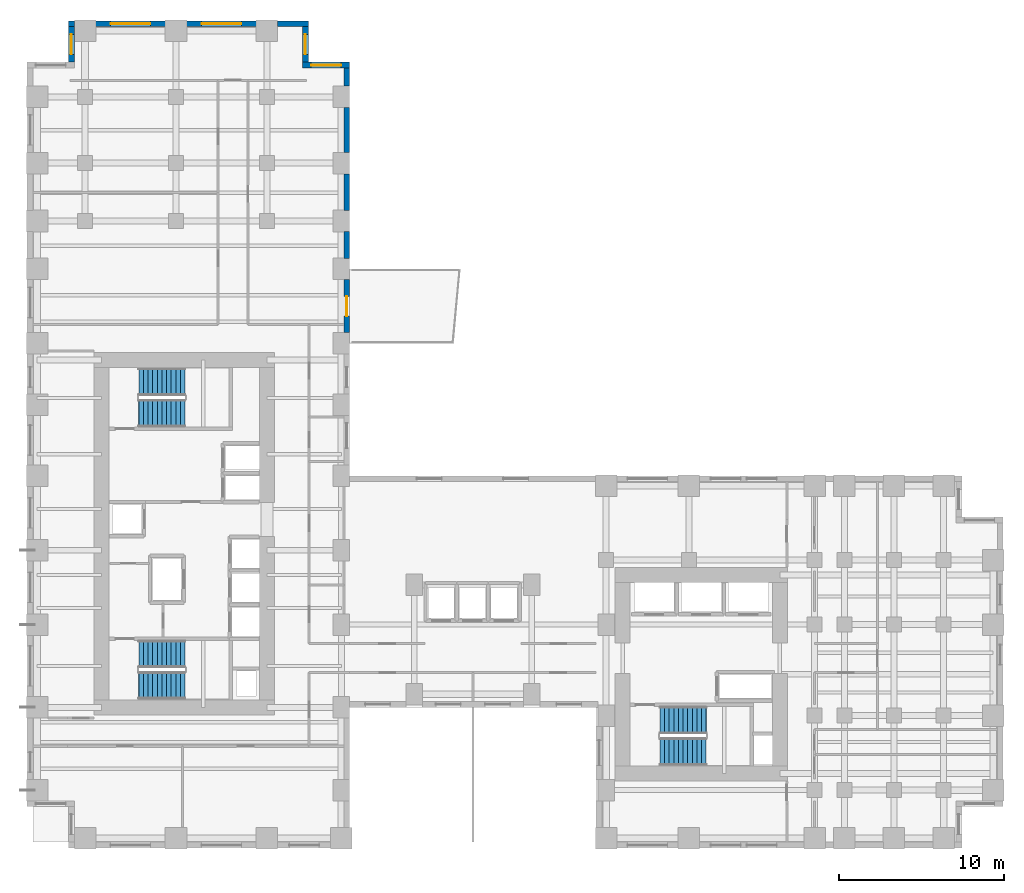
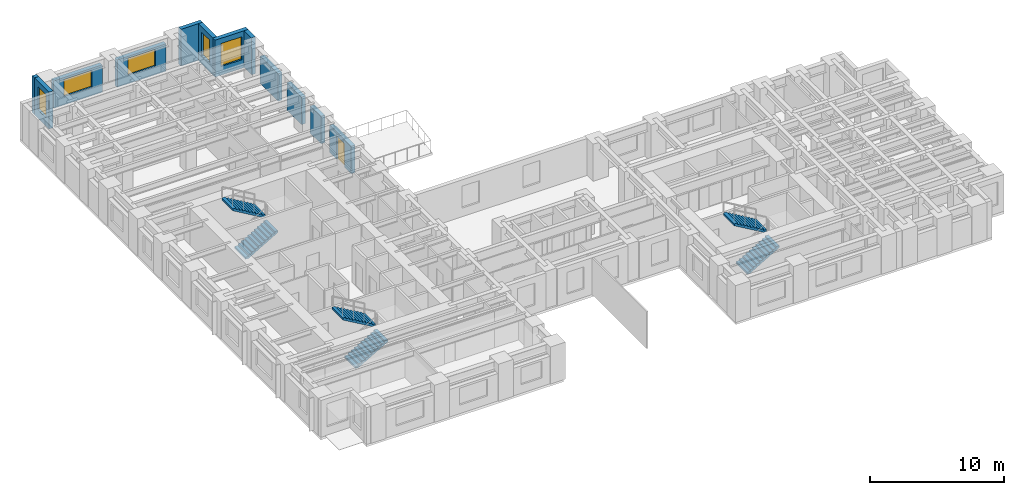
# One storey, part 9 of 11: 12 walls, 6 stair flights, 5 windows, 1 door, 6 openings, 3 elements without a shape of their own.
"""IFC4 building model written with IfcOpenShell, lengths in metres."""

from ifc_helpers import new_model, si_unit, direction, frame, frame_2d, origin, place, context, subcontext, project, spatial, polyline, rectangle, outline, extrude, source, transform, mapped, material, layer, layer_set, type_object, element, fill, aggregate, save


model = new_model("IFC4")

# Units and contexts
model_context = context("Model", 3, precision=1e-05, world=origin(), true_north=direction((0.0, 1.0)))
body_context = subcontext(model_context, "Body", "Model", "MODEL_VIEW")
ifc_project = project(units=[si_unit("LENGTHUNIT", "METRE"), si_unit("AREAUNIT", "SQUARE_METRE"), si_unit("VOLUMEUNIT", "CUBIC_METRE"), si_unit("PLANEANGLEUNIT", "RADIAN"), si_unit("MASSUNIT", "GRAM", prefix="KILO")], contexts=[model_context])

# Site, building, storey
site_placement = place(None, origin())
site = spatial("IfcSite", under=ifc_project, at=site_placement, CompositionType="ELEMENT")
building_placement = place(site_placement, origin())
building = spatial("IfcBuilding", under=site, at=building_placement, Name="Kharzan Plaza Tower", CompositionType="ELEMENT")
storey_placement = place(building_placement, frame((0.0, 0.0, 40.5)))
storey = spatial("IfcBuildingStorey", under=building, at=storey_placement, Name="L10", CompositionType="ELEMENT", Elevation=40.5)

# Wall, opening, window
ifc_material_1 = material(Name="Concrete C40/50", Category="concrete")
ifc_layer = layer(ifc_material_1, 0.35009765625)
ifc_layer_set = layer_set([ifc_layer], Name="Concrete C40/50")
wall_type = type_object("IfcWallType", Name="WL-EXT-MAS-Z1", PredefinedType="SOLIDWALL", material=ifc_layer_set)
wall_1_placement = place(storey_placement, frame((19.5, 47.324951171875, 0.0), z_axis=(0.0, 0.0, 1.0), x_axis=(-1.0, 0.0, 0.0)))
wall_1 = element("IfcWall", 1, at=wall_1_placement, inside=storey, type_object=wall_type, Name="L10 Masonry-Frame Exterior Wall 01", PredefinedType="SOLIDWALL", context=body_context, shape_type="SweptSolid", body=[
    extrude(rectangle(XDim=2.85009765625, YDim=0.35009765625, at=frame_2d((1.425048828125, 0.0))), origin(), (0.0, 0.0, 1.0), 3.364990234375),
])
opening_1_placement = place(wall_1_placement, frame((0.52490234375, 0.0, 0.780029296875)))
opening_1 = element("IfcOpeningElement", 2, at=opening_1_placement, cuts=wall_1, Name="Opening W1", PredefinedType="OPENING", context=body_context, shape_type="SweptSolid", body=[
    extrude(rectangle(XDim=1.800048828125, YDim=2.10009765625, at=frame_2d((0.89990234375, 1.050048828125))), frame((0.0, 0.18505859375, 0.0), z_axis=(0.0, -1.0, 0.0), x_axis=(1.0, 0.0, 0.0)), (0.0, 0.0, 1.0), 0.3701171875),
])
ifc_material_2 = material(Name="Low-E Double Glazing", Category="glass")
window_type_1 = type_object("IfcWindowType", Name="WN-REC-1800x2100", PartitioningType="SINGLE_PANEL", PredefinedType="WINDOW", material=ifc_material_2)
shared_shape_1 = source(origin(), body_context, "Body", "SweptSolid", [
    extrude(rectangle(XDim=1.800048828125, YDim=2.10009765625, at=frame_2d((0.89990234375, 1.050048828125))), frame((0.0, 0.030029296875, 0.0), z_axis=(0.0, -1.0, 0.0), x_axis=(1.0, 0.0, 0.0)), (0.0, 0.0, 1.0), 0.06005859375),
])
window_1_placement = place(opening_1_placement, origin())
window_1 = element("IfcWindow", 3, at=window_1_placement, inside=storey, type_object=window_type_1, Name="L10 Recessed Solar-Control Window 01-1", OverallHeight=2.10009765625, OverallWidth=1.800048828125, PartitioningType="SINGLE_PANEL", PredefinedType="WINDOW", context=body_context, shape_type="MappedRepresentation", body=[
    mapped(shared_shape_1, transform((0.0, 0.0, 0.0), x_axis=(1.0, 0.0, 0.0), y_axis=(0.0, 1.0, 0.0), z_axis=(0.0, 0.0, 1.0))),
])
fill(opening_1, window_1)

wall_2_placement = place(storey_placement, frame((16.824951171875, 47.498046875, 0.0), z_axis=(0.0, 0.0, 1.0), x_axis=(0.0, 1.0, 0.0)))
wall_2 = element("IfcWall", 4, at=wall_2_placement, inside=storey, type_object=wall_type, Name="L10 Masonry-Frame Exterior Wall 02", PredefinedType="SOLIDWALL", context=body_context, shape_type="SweptSolid", body=[
    extrude(rectangle(XDim=2.154052734375, YDim=0.35009765625, at=frame_2d((1.0771484375, 0.0))), origin(), (0.0, 0.0, 1.0), 3.364990234375),
])
opening_2_placement = place(wall_2_placement, frame((0.47705078125, 0.0, 0.780029296875)))
opening_2 = element("IfcOpeningElement", 5, at=opening_2_placement, cuts=wall_2, Name="Opening W3", PredefinedType="OPENING", context=body_context, shape_type="SweptSolid", body=[
    extrude(rectangle(XDim=1.199951171875, YDim=2.10009765625, at=frame_2d((0.60009765625, 1.050048828125))), frame((0.0, 0.18505859375, 0.0), z_axis=(0.0, -1.0, 0.0), x_axis=(1.0, 0.0, 0.0)), (0.0, 0.0, 1.0), 0.3701171875),
])
window_type_2 = type_object("IfcWindowType", Name="WN-REC-1200x2100", PartitioningType="SINGLE_PANEL", PredefinedType="WINDOW", material=ifc_material_2)
shared_shape_2 = source(origin(), body_context, "Body", "SweptSolid", [
    extrude(rectangle(XDim=1.199951171875, YDim=2.10009765625, at=frame_2d((0.60009765625, 1.050048828125))), frame((0.0, 0.030029296875, 0.0), z_axis=(0.0, -1.0, 0.0), x_axis=(1.0, 0.0, 0.0)), (0.0, 0.0, 1.0), 0.06005859375),
])
window_2_placement = place(opening_2_placement, origin())
window_2 = element("IfcWindow", 6, at=window_2_placement, inside=storey, type_object=window_type_2, Name="L10 Recessed Solar-Control Window 02-1", OverallHeight=2.10009765625, OverallWidth=1.199951171875, PartitioningType="SINGLE_PANEL", PredefinedType="WINDOW", context=body_context, shape_type="MappedRepresentation", body=[
    mapped(shared_shape_2, transform((0.0, 0.0, 0.0), x_axis=(1.0, 0.0, 0.0), y_axis=(0.0, 1.0, 0.0), z_axis=(0.0, 0.0, 1.0))),
])
fill(opening_2, window_2)

wall_3_placement = place(storey_placement, frame((13.85205078125, 49.824951171875, 0.0), z_axis=(0.0, 0.0, 1.0), x_axis=(-1.0, 0.0, 0.0)))
wall_3 = element("IfcWall", 7, at=wall_3_placement, inside=storey, type_object=wall_type, Name="L10 Masonry-Frame Exterior Wall 04", PredefinedType="SOLIDWALL", context=body_context, shape_type="SweptSolid", body=[
    extrude(rectangle(XDim=4.2041015625, YDim=0.35009765625, at=frame_2d((2.10205078125, 0.0))), origin(), (0.0, 0.0, 1.0), 2.510009765625),
])
opening_3_placement = place(wall_3_placement, frame((0.902099609375, 0.0, 0.780029296875)))
opening_3 = element("IfcOpeningElement", 8, at=opening_3_placement, cuts=wall_3, Name="Opening W2", PredefinedType="OPENING", context=body_context, shape_type="SweptSolid", body=[
    extrude(rectangle(XDim=2.39990234375, YDim=1.550048828125, at=frame_2d((1.199951171875, 0.77490234375))), frame((0.0, 0.18505859375, 0.0), z_axis=(0.0, -1.0, 0.0), x_axis=(1.0, 0.0, 0.0)), (0.0, 0.0, 1.0), 0.3701171875),
])
window_type_3 = type_object("IfcWindowType", Name="WN-REC-2400x2100", PartitioningType="SINGLE_PANEL", PredefinedType="WINDOW", material=ifc_material_2)
shared_shape_3 = source(origin(), body_context, "Body", "SweptSolid", [
    extrude(rectangle(XDim=2.39990234375, YDim=1.550048828125, at=frame_2d((1.199951171875, 0.77490234375))), frame((0.0, 0.030029296875, 0.0), z_axis=(0.0, -1.0, 0.0), x_axis=(1.0, 0.0, 0.0)), (0.0, 0.0, 1.0), 0.06005859375),
])
window_3_placement = place(opening_3_placement, origin())
window_3 = element("IfcWindow", 9, at=window_3_placement, inside=storey, type_object=window_type_3, Name="L10 Wide Recessed Solar-Control Window 04-1", OverallHeight=1.550048828125, OverallWidth=2.39990234375, PartitioningType="SINGLE_PANEL", PredefinedType="WINDOW", context=body_context, shape_type="MappedRepresentation", body=[
    mapped(shared_shape_3, transform((0.0, 0.0, 0.0), x_axis=(1.0, 0.0, 0.0), y_axis=(0.0, 1.0, 0.0), z_axis=(0.0, 0.0, 1.0))),
])
fill(opening_3, window_3)

wall_4_placement = place(storey_placement, frame((8.35205078125, 49.824951171875, 0.0), z_axis=(0.0, 0.0, 1.0), x_axis=(-1.0, 0.0, 0.0)))
wall_4 = element("IfcWall", 10, at=wall_4_placement, inside=storey, type_object=wall_type, Name="L10 Masonry-Frame Exterior Wall 05", PredefinedType="SOLIDWALL", context=body_context, shape_type="SweptSolid", body=[
    extrude(rectangle(XDim=4.2041015625, YDim=0.35009765625, at=frame_2d((2.10205078125, 0.0))), origin(), (0.0, 0.0, 1.0), 2.510009765625),
])
opening_4_placement = place(wall_4_placement, frame((0.902099609375, 0.0, 0.780029296875)))
opening_4 = element("IfcOpeningElement", 11, at=opening_4_placement, cuts=wall_4, Name="Opening W2", PredefinedType="OPENING", context=body_context, shape_type="SweptSolid", body=[
    extrude(rectangle(XDim=2.39990234375, YDim=1.550048828125, at=frame_2d((1.199951171875, 0.77490234375))), frame((0.0, 0.18505859375, 0.0), z_axis=(0.0, -1.0, 0.0), x_axis=(1.0, 0.0, 0.0)), (0.0, 0.0, 1.0), 0.3701171875),
])
window_4_placement = place(opening_4_placement, origin())
window_4 = element("IfcWindow", 12, at=window_4_placement, inside=storey, type_object=window_type_3, Name="L10 Wide Recessed Solar-Control Window 05-1", OverallHeight=1.550048828125, OverallWidth=2.39990234375, PartitioningType="SINGLE_PANEL", PredefinedType="WINDOW", context=body_context, shape_type="MappedRepresentation", body=[
    mapped(shared_shape_3, transform((0.0, 0.0, 0.0), x_axis=(1.0, 0.0, 0.0), y_axis=(0.0, 1.0, 0.0), z_axis=(0.0, 0.0, 1.0))),
])
fill(opening_4, window_4)

wall_5_placement = place(storey_placement, frame((2.675048828125, 49.652099609375, 0.0), z_axis=(0.0, 0.0, 1.0), x_axis=(0.0, -1.0, 0.0)))
wall_5 = element("IfcWall", 13, at=wall_5_placement, inside=storey, type_object=wall_type, Name="L10 Masonry-Frame Exterior Wall 07", PredefinedType="SOLIDWALL", context=body_context, shape_type="SweptSolid", body=[
    extrude(rectangle(XDim=2.154052734375, YDim=0.35009765625, at=frame_2d((1.0771484375, 0.0))), origin(), (0.0, 0.0, 1.0), 3.364990234375),
])
opening_5_placement = place(wall_5_placement, frame((0.47705078125, 0.0, 0.780029296875)))
opening_5 = element("IfcOpeningElement", 14, at=opening_5_placement, cuts=wall_5, Name="Opening W3", PredefinedType="OPENING", context=body_context, shape_type="SweptSolid", body=[
    extrude(rectangle(XDim=1.199951171875, YDim=2.10009765625, at=frame_2d((0.60009765625, 1.050048828125))), frame((0.0, 0.18505859375, 0.0), z_axis=(0.0, -1.0, 0.0), x_axis=(1.0, 0.0, 0.0)), (0.0, 0.0, 1.0), 0.3701171875),
])
window_5_placement = place(opening_5_placement, origin())
window_5 = element("IfcWindow", 15, at=window_5_placement, inside=storey, type_object=window_type_2, Name="L10 Recessed Solar-Control Window 07-1", OverallHeight=2.10009765625, OverallWidth=1.199951171875, PartitioningType="SINGLE_PANEL", PredefinedType="WINDOW", context=body_context, shape_type="MappedRepresentation", body=[
    mapped(shared_shape_2, transform((0.0, 0.0, 0.0), x_axis=(1.0, 0.0, 0.0), y_axis=(0.0, 1.0, 0.0), z_axis=(0.0, 0.0, 1.0))),
])
fill(opening_5, window_5)

# Wall, opening, door
wall_6_placement = place(storey_placement, frame((19.324951171875, 31.14794921875, 0.0), z_axis=(0.0, 0.0, 1.0), x_axis=(0.0, 1.0, 0.0)))
wall_6 = element("IfcWall", 16, at=wall_6_placement, inside=storey, type_object=wall_type, Name="L10 Masonry-Frame Exterior Wall 56", PredefinedType="SOLIDWALL", context=body_context, shape_type="SweptSolid", body=[
    extrude(rectangle(XDim=3.2041015625, YDim=0.35009765625, at=frame_2d((1.60205078125, 0.0))), origin(), (0.0, 0.0, 1.0), 2.510009765625),
])
opening_6_placement = place(wall_6_placement, frame((1.001953125, 0.0, 0.0)))
opening_6 = element("IfcOpeningElement", 17, at=opening_6_placement, cuts=wall_6, Name="Opening ED3", PredefinedType="OPENING", context=body_context, shape_type="SweptSolid", body=[
    extrude(rectangle(XDim=1.199951171875, YDim=2.14990234375, at=frame_2d((0.60009765625, 1.074951171875))), frame((0.0, 0.18505859375, 0.0), z_axis=(0.0, -1.0, 0.0), x_axis=(1.0, 0.0, 0.0)), (0.0, 0.0, 1.0), 0.3701171875),
])
ifc_material_3 = material(Name="Thermally Broken Anodized Bronze Aluminium", Category="aluminium")
door_type = type_object("IfcDoorType", Name="DR-EXT-TRAY-1200", OperationType="SINGLE_SWING_LEFT", PredefinedType="DOOR", material=ifc_material_3)
shared_shape_4 = source(origin(), body_context, "Body", "SweptSolid", [
    extrude(rectangle(XDim=1.199951171875, YDim=2.14990234375, at=frame_2d((0.60009765625, 1.074951171875))), frame((0.0, 0.02490234375, 0.0), z_axis=(0.0, -1.0, 0.0), x_axis=(1.0, 0.0, 0.0)), (0.0, 0.0, 1.0), 0.050048828125),
])
door_placement = place(opening_6_placement, frame((1.199951171875, 0.0, 0.0), z_axis=(0.0, 0.0, 1.0), x_axis=(-1.0, 0.0, 0.0)))
door = element("IfcDoor", 18, at=door_placement, inside=storey, type_object=door_type, Name="L10 Cantilevered Sky-Terrace Tray Access Door", OperationType="SINGLE_SWING_LEFT", OverallHeight=2.14990234375, OverallWidth=1.199951171875, PredefinedType="DOOR", context=body_context, shape_type="MappedRepresentation", body=[
    mapped(shared_shape_4, transform((0.0, 0.0, 0.0), x_axis=(1.0, 0.0, 0.0), y_axis=(0.0, 1.0, 0.0), z_axis=(0.0, 0.0, 1.0))),
])
fill(opening_6, door)

# Walls
shared_shape_5 = source(origin(), body_context, "Body", "SweptSolid", [
    extrude(rectangle(XDim=1.85205078125, YDim=0.35009765625, at=frame_2d((0.926025390625, 0.0))), origin(), (0.0, 0.0, 1.0), 3.364990234375),
])
wall_7_placement = place(storey_placement, frame((17.0, 49.824951171875, 0.0), z_axis=(0.0, 0.0, 1.0), x_axis=(-1.0, 0.0, 0.0)))
element("IfcWall", 19, at=wall_7_placement, inside=storey, type_object=wall_type, Name="L10 Masonry-Frame Exterior Wall 03", PredefinedType="SOLIDWALL", context=body_context, shape_type="MappedRepresentation", body=[
    mapped(shared_shape_5, transform((0.0, 0.0, 0.0), x_axis=(1.0, 0.0, 0.0), y_axis=(0.0, 1.0, 0.0), z_axis=(0.0, 0.0, 1.0))),
])
shared_shape_6 = source(origin(), body_context, "Body", "SweptSolid", [
    extrude(rectangle(XDim=0.35205078125, YDim=0.35009765625, at=frame_2d((0.176025390625, 0.0))), origin(), (0.0, 0.0, 1.0), 3.364990234375),
])
wall_8_placement = place(storey_placement, frame((2.85205078125, 49.824951171875, 0.0), z_axis=(0.0, 0.0, 1.0), x_axis=(-1.0, 0.0, 0.0)))
element("IfcWall", 20, at=wall_8_placement, inside=storey, type_object=wall_type, Name="L10 Masonry-Frame Exterior Wall 06", PredefinedType="SOLIDWALL", context=body_context, shape_type="MappedRepresentation", body=[
    mapped(shared_shape_6, transform((0.0, 0.0, 0.0), x_axis=(1.0, 0.0, 0.0), y_axis=(0.0, 1.0, 0.0), z_axis=(0.0, 0.0, 1.0))),
])
shared_shape_7 = source(origin(), body_context, "Body", "SweptSolid", [
    extrude(rectangle(XDim=1.10400390625, YDim=0.35009765625, at=frame_2d((0.552001953125, 0.0))), origin(), (0.0, 0.0, 1.0), 3.364990234375),
])
wall_9_placement = place(storey_placement, frame((19.324951171875, 46.048095703125, 0.0), z_axis=(0.0, 0.0, 1.0), x_axis=(0.0, 1.0, 0.0)))
element("IfcWall", 21, at=wall_9_placement, inside=storey, type_object=wall_type, Name="L10 Masonry-Frame Exterior Wall 60", PredefinedType="SOLIDWALL", context=body_context, shape_type="MappedRepresentation", body=[
    mapped(shared_shape_7, transform((0.0, 0.0, 0.0), x_axis=(1.0, 0.0, 0.0), y_axis=(0.0, 1.0, 0.0), z_axis=(0.0, 0.0, 1.0))),
])
shared_shape_8 = source(origin(), body_context, "Body", "SweptSolid", [
    extrude(rectangle(XDim=1.60400390625, YDim=0.35009765625, at=frame_2d((0.802001953125, 0.0))), origin(), (0.0, 0.0, 1.0), 2.510009765625),
])
wall_10_placement = place(storey_placement, frame((19.324951171875, 35.64794921875, 0.0), z_axis=(0.0, 0.0, 1.0), x_axis=(0.0, 1.0, 0.0)))
element("IfcWall", 22, at=wall_10_placement, inside=storey, type_object=wall_type, Name="L10 Masonry-Frame Exterior Wall 57", PredefinedType="SOLIDWALL", context=body_context, shape_type="MappedRepresentation", body=[
    mapped(shared_shape_8, transform((0.0, 0.0, 0.0), x_axis=(1.0, 0.0, 0.0), y_axis=(0.0, 1.0, 0.0), z_axis=(0.0, 0.0, 1.0))),
])
shared_shape_9 = source(origin(), body_context, "Body", "SweptSolid", [
    extrude(rectangle(XDim=2.203857421875, YDim=0.35009765625, at=frame_2d((1.10205078125, 0.0))), origin(), (0.0, 0.0, 1.0), 2.510009765625),
])
wall_11_placement = place(storey_placement, frame((19.324951171875, 38.548095703125, 0.0), z_axis=(0.0, 0.0, 1.0), x_axis=(0.0, 1.0, 0.0)))
element("IfcWall", 23, at=wall_11_placement, inside=storey, type_object=wall_type, Name="L10 Masonry-Frame Exterior Wall 58", PredefinedType="SOLIDWALL", context=body_context, shape_type="MappedRepresentation", body=[
    mapped(shared_shape_9, transform((0.0, 0.0, 0.0), x_axis=(1.0, 0.0, 0.0), y_axis=(0.0, 1.0, 0.0), z_axis=(0.0, 0.0, 1.0))),
])
shared_shape_10 = source(origin(), body_context, "Body", "SweptSolid", [
    extrude(rectangle(XDim=2.703857421875, YDim=0.35009765625, at=frame_2d((1.35205078125, 0.0))), origin(), (0.0, 0.0, 1.0), 2.510009765625),
])
wall_12_placement = place(storey_placement, frame((19.324951171875, 42.048095703125, 0.0), z_axis=(0.0, 0.0, 1.0), x_axis=(0.0, 1.0, 0.0)))
element("IfcWall", 24, at=wall_12_placement, inside=storey, type_object=wall_type, Name="L10 Masonry-Frame Exterior Wall 59", PredefinedType="SOLIDWALL", context=body_context, shape_type="MappedRepresentation", body=[
    mapped(shared_shape_10, transform((0.0, 0.0, 0.0), x_axis=(1.0, 0.0, 0.0), y_axis=(0.0, 1.0, 0.0), z_axis=(0.0, 0.0, 1.0))),
])

# Stair, stair flights
stair_type_1 = type_object("IfcStairType", Name="STR-ST-1", PredefinedType="HALF_TURN_STAIR", material=ifc_material_1)
stair_1_placement = place(storey_placement, origin())
stair_1 = element("IfcStair", 25, at=stair_1_placement, inside=storey, type_object=stair_type_1, Name="L10 Protected Exit Stair ST-1", PredefinedType="HALF_TURN_STAIR")
stair_flight_type = type_object("IfcStairFlightType", Name="SFL-1650-R173", PredefinedType="STRAIGHT", material=ifc_material_1)
shared_shape_11 = source(origin(), body_context, "Body", "SweptSolid", [
    extrude(outline(polyline([(-0.0029296875, -0.011962890625), (-0.0029296875, 0.0), (0.0, 0.0), (0.0, 0.16357421875), (0.280029296875, 0.16357421875), (0.280029296875, 0.3271484375), (0.56005859375, 0.3271484375), (0.56005859375, 0.49072265625), (0.840087890625, 0.49072265625), (0.840087890625, 0.654296875), (1.1201171875, 0.654296875), (1.1201171875, 0.81787109375), (1.400146484375, 0.81787109375), (1.400146484375, 0.9814453125), (1.68017578125, 0.9814453125), (1.68017578125, 1.14501953125), (1.960205078125, 1.14501953125), (1.960205078125, 1.30859375), (2.240234375, 1.30859375), (2.240234375, 1.47216796875), (2.520263671875, 1.47216796875), (2.520263671875, 1.6357421875), (2.80029296875, 1.6357421875), (2.80029296875, 1.79931640625), (2.80029296875, 1.462158203125), (0.297119140625, 0.0), (0.297119140625, -0.011962890625), (-0.0029296875, -0.011962890625)])), frame((0.0, 0.824951171875, 0.0), z_axis=(0.0, -1.0, 0.0), x_axis=(1.0, 0.0, 0.0)), (0.0, 0.0, 1.0), 1.64990234375),
])
stair_flight_1_placement = place(storey_placement, frame((6.75, 9.824951171875, 0.0), z_axis=(0.0, 0.0, 1.0), x_axis=(1.0, 0.0, 0.0)))
stair_flight_1 = element("IfcStairFlight", 26, at=stair_flight_1_placement, type_object=stair_flight_type, Name="ST-1 flight 1", NumberOfRisers=11, NumberOfTreads=10, PredefinedType="STRAIGHT", RiserHeight=0.163636364, TreadLength=0.28, context=body_context, shape_type="MappedRepresentation", body=[
    mapped(shared_shape_11, transform((0.0, 0.0, 0.0), x_axis=(1.0, 0.0, 0.0), y_axis=(0.0, 1.0, 0.0), z_axis=(0.0, 0.0, 1.0))),
])
stair_flight_2_placement = place(storey_placement, frame((9.550048828125, 11.72509765625, 1.800048828125), z_axis=(0.0, 0.0, 1.0), x_axis=(-1.0, 0.0, 0.0)))
stair_flight_2 = element("IfcStairFlight", 27, at=stair_flight_2_placement, type_object=stair_flight_type, Name="ST-1 flight 2", NumberOfRisers=11, NumberOfTreads=10, PredefinedType="STRAIGHT", RiserHeight=0.163636364, TreadLength=0.28, context=body_context, shape_type="MappedRepresentation", body=[
    mapped(shared_shape_11, transform((0.0, 0.0, 0.0), x_axis=(1.0, 0.0, 0.0), y_axis=(0.0, 1.0, 0.0), z_axis=(0.0, 0.0, 1.0))),
])
aggregate(stair_1, [stair_flight_1, stair_flight_2])

stair_type_2 = type_object("IfcStairType", Name="STR-ST-2", PredefinedType="HALF_TURN_STAIR", material=ifc_material_1)
stair_2_placement = place(storey_placement, origin())
stair_2 = element("IfcStair", 28, at=stair_2_placement, inside=storey, type_object=stair_type_2, Name="L10 Protected Exit Stair ST-2", PredefinedType="HALF_TURN_STAIR")
stair_flight_3_placement = place(storey_placement, frame((6.75, 26.27490234375, 0.0), z_axis=(0.0, 0.0, 1.0), x_axis=(1.0, 0.0, 0.0)))
stair_flight_3 = element("IfcStairFlight", 29, at=stair_flight_3_placement, type_object=stair_flight_type, Name="ST-2 flight 1", NumberOfRisers=11, NumberOfTreads=10, PredefinedType="STRAIGHT", RiserHeight=0.163636364, TreadLength=0.28, context=body_context, shape_type="MappedRepresentation", body=[
    mapped(shared_shape_11, transform((0.0, 0.0, 0.0), x_axis=(1.0, 0.0, 0.0), y_axis=(0.0, 1.0, 0.0), z_axis=(0.0, 0.0, 1.0))),
])
stair_flight_4_placement = place(storey_placement, frame((9.550048828125, 28.175048828125, 1.800048828125), z_axis=(0.0, 0.0, 1.0), x_axis=(-1.0, 0.0, 0.0)))
stair_flight_4 = element("IfcStairFlight", 30, at=stair_flight_4_placement, type_object=stair_flight_type, Name="ST-2 flight 2", NumberOfRisers=11, NumberOfTreads=10, PredefinedType="STRAIGHT", RiserHeight=0.163636364, TreadLength=0.28, context=body_context, shape_type="MappedRepresentation", body=[
    mapped(shared_shape_11, transform((0.0, 0.0, 0.0), x_axis=(1.0, 0.0, 0.0), y_axis=(0.0, 1.0, 0.0), z_axis=(0.0, 0.0, 1.0))),
])
aggregate(stair_2, [stair_flight_3, stair_flight_4])

stair_type_3 = type_object("IfcStairType", Name="STR-ST-3", PredefinedType="HALF_TURN_STAIR", material=ifc_material_1)
stair_3_placement = place(storey_placement, origin())
stair_3 = element("IfcStair", 31, at=stair_3_placement, inside=storey, type_object=stair_type_3, Name="L10 Protected Exit Stair ST-3", PredefinedType="HALF_TURN_STAIR")
stair_flight_5_placement = place(storey_placement, frame((38.25, 5.824951171875, 0.0), z_axis=(0.0, 0.0, 1.0), x_axis=(1.0, 0.0, 0.0)))
stair_flight_5 = element("IfcStairFlight", 32, at=stair_flight_5_placement, type_object=stair_flight_type, Name="ST-3 flight 1", NumberOfRisers=11, NumberOfTreads=10, PredefinedType="STRAIGHT", RiserHeight=0.163636364, TreadLength=0.28, context=body_context, shape_type="MappedRepresentation", body=[
    mapped(shared_shape_11, transform((0.0, 0.0, 0.0), x_axis=(1.0, 0.0, 0.0), y_axis=(0.0, 1.0, 0.0), z_axis=(0.0, 0.0, 1.0))),
])
stair_flight_6_placement = place(storey_placement, frame((41.050048828125, 7.72509765625, 1.800048828125), z_axis=(0.0, 0.0, 1.0), x_axis=(-1.0, 0.0, 0.0)))
stair_flight_6 = element("IfcStairFlight", 33, at=stair_flight_6_placement, type_object=stair_flight_type, Name="ST-3 flight 2", NumberOfRisers=11, NumberOfTreads=10, PredefinedType="STRAIGHT", RiserHeight=0.163636364, TreadLength=0.28, context=body_context, shape_type="MappedRepresentation", body=[
    mapped(shared_shape_11, transform((0.0, 0.0, 0.0), x_axis=(1.0, 0.0, 0.0), y_axis=(0.0, 1.0, 0.0), z_axis=(0.0, 0.0, 1.0))),
])
aggregate(stair_3, [stair_flight_5, stair_flight_6])

save(model, "model.ifc")
